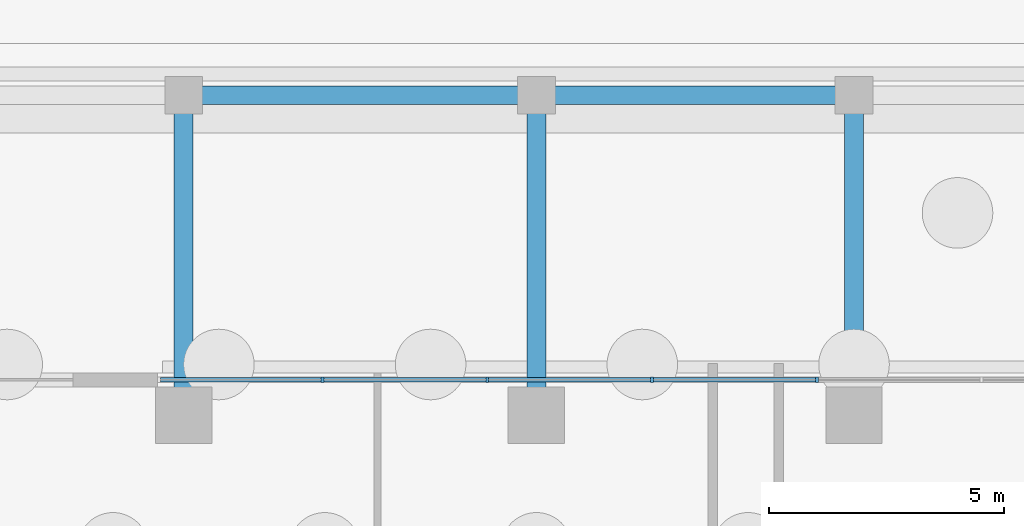
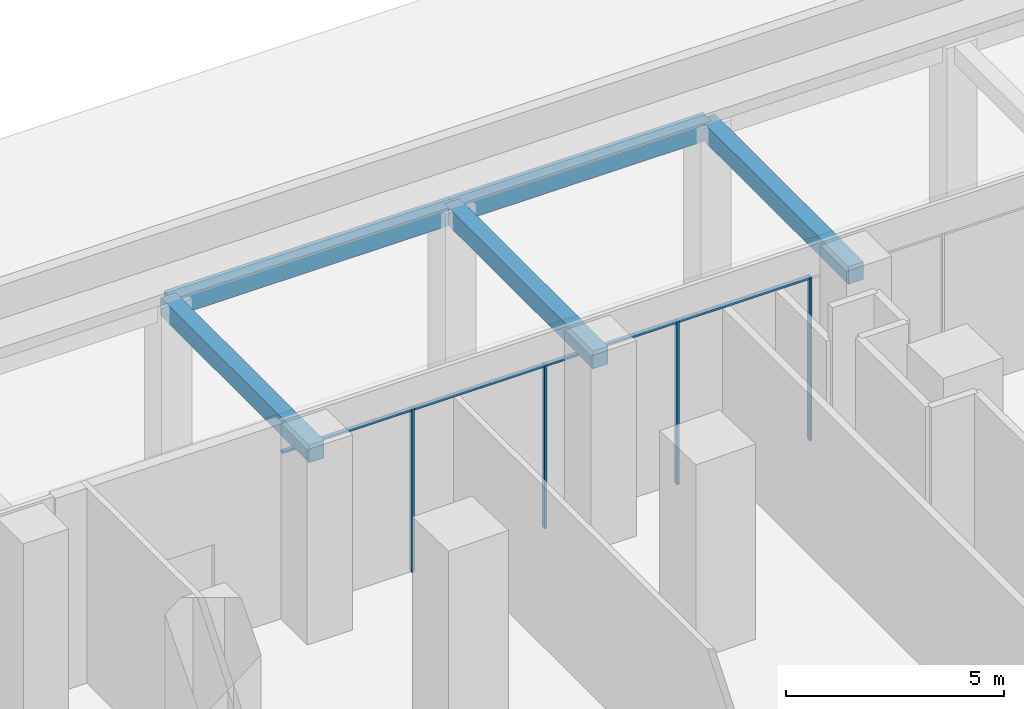
# One storey, part 33 of 46: 8 members, 5 beams, 1 element without a shape of its own.
"""IFC4 building model written with IfcOpenShell, lengths in metres."""

from ifc_helpers import new_model, si_unit, direction, frame, origin, origin_2d, place, context, subcontext, project, spatial, rectangle, extrude, material, material_profile, profile_set, type_object, element, aggregate, save


model = new_model("IFC4")

# Units and contexts
model_context = context("Model", 3, precision=1e-05, world=origin(), true_north=direction((0.0, 1.0)))
body_context = subcontext(model_context, "Body", "Model", "MODEL_VIEW")
ifc_project = project(units=[si_unit("LENGTHUNIT", "METRE"), si_unit("AREAUNIT", "SQUARE_METRE"), si_unit("VOLUMEUNIT", "CUBIC_METRE"), si_unit("PLANEANGLEUNIT", "RADIAN"), si_unit("MASSUNIT", "GRAM", prefix="KILO")], contexts=[model_context])

# Site, building, storey
site_placement = place(None, origin())
site = spatial("IfcSite", under=ifc_project, at=site_placement, CompositionType="ELEMENT")
building_placement = place(site_placement, origin())
building = spatial("IfcBuilding", under=site, at=building_placement, Name="Mangrove Gate Tower", CompositionType="ELEMENT")
storey_placement = place(building_placement, origin())
storey = spatial("IfcBuildingStorey", under=building, at=storey_placement, Name="L00", CompositionType="ELEMENT", Elevation=0.0)

# Beams
ifc_material_1 = material(Name="Concrete C70/85", Category="concrete")
ifc_material_profile_1 = material_profile(ifc_material_1, rectangle(XDim=0.39990234375, YDim=0.5, at=origin_2d()))
ifc_profile_set_1 = profile_set([ifc_material_profile_1], Name="Concrete C70/85")
beam_type = type_object("IfcBeamType", Name="Canopy beam RC 400x500 C70/85", PredefinedType="BEAM", material=ifc_profile_set_1)
beam_1_placement = place(storey_placement, frame((3.75, 36.89990234375, 4.830078125), z_axis=(1.0, 0.0, 0.0), x_axis=(0.0, 1.0, 0.0)))
element("IfcBeam", 1, at=beam_1_placement, inside=storey, type_object=beam_type, Name="Canopy beam L00 CEN07", PredefinedType="BEAM", context=body_context, shape_type="SweptSolid", body=[
    extrude(rectangle(XDim=0.39990234375, YDim=0.5, at=origin_2d()), origin(), (0.0, 0.0, 1.0), 7.5),
])
beam_2_placement = place(storey_placement, frame((11.25, 36.89990234375, 4.830078125), z_axis=(1.0, 0.0, 0.0), x_axis=(0.0, 1.0, 0.0)))
element("IfcBeam", 2, at=beam_2_placement, inside=storey, type_object=beam_type, Name="Canopy beam L00 CEN08", PredefinedType="BEAM", context=body_context, shape_type="SweptSolid", body=[
    extrude(rectangle(XDim=0.39990234375, YDim=0.5, at=origin_2d()), origin(), (0.0, 0.0, 1.0), 6.75),
])
for number, where, z_axis, x_axis, name in (
    (3, (3.75, 30.10009765625, 4.830078125), (0.0, 1.0, 0.0), (-1.0, 0.0, 0.0), "Canopy beam L00 CBN07"),
    (4, (11.25, 30.10009765625, 4.830078125), (0.0, 1.0, 0.0), (-1.0, 0.0, 0.0), "Canopy beam L00 CBN08"),
    (5, (18.0, 30.10009765625, 4.830078125), (0.0, 1.0, 0.0), (-1.0, 0.0, 0.0), "Canopy beam L00 CBN09"),
):
    element("IfcBeam", number, at=place(storey_placement, frame(where, z_axis=z_axis, x_axis=x_axis)), inside=storey, type_object=beam_type, Name=name, PredefinedType="BEAM", context=body_context, shape_type="SweptSolid", body=[
        extrude(rectangle(XDim=0.39990234375, YDim=0.5, at=origin_2d()), origin(), (0.0, 0.0, 1.0), 6.7998046875),
    ])

# Curtain wall, members
ifc_material_2 = material(Name="Aluminium and glass curtain wall", Category="aluminium")
curtain_wall_type = type_object("IfcCurtainWallType", Name="Podium shopfront glazing wall", PredefinedType="NOTDEFINED", material=ifc_material_2)
curtain_wall_placement = place(storey_placement, origin())
curtain_wall = element("IfcCurtainWall", 6, at=curtain_wall_placement, inside=storey, type_object=curtain_wall_type, Name="Podium shopfront glazing N12s1", PredefinedType="NOTDEFINED")
ifc_material_3 = material(Name="Aluminium alloy 6063-T6", Category="aluminium")
ifc_material_profile_2 = material_profile(ifc_material_3, rectangle(XDim=0.06005859375, YDim=0.1201171875, at=origin_2d()))
ifc_profile_set_2 = profile_set([ifc_material_profile_2], Name="Aluminium alloy 6063-T6")
member_type_1 = type_object("IfcMemberType", Name="Podium shopfront glazing mullion 60x120", PredefinedType="MULLION", material=ifc_profile_set_2)
member_1_placement = place(storey_placement, frame((17.2099609375, 30.85009765625, 0.0), z_axis=(0.0, 0.0, 1.0), x_axis=(-1.0, 0.0, 0.0)))
member_1 = element("IfcMember", 7, at=member_1_placement, type_object=member_type_1, Name="CWS mullion 5", PredefinedType="MULLION", context=body_context, shape_type="SweptSolid", body=[
    extrude(rectangle(XDim=0.06005859375, YDim=0.1201171875, at=origin_2d()), origin(), (0.0, 0.0, 1.0), 4.570068359375),
])
member_2_placement = place(storey_placement, frame((13.70751953125, 30.85009765625, 0.0), z_axis=(0.0, 0.0, 1.0), x_axis=(-1.0, 0.0, 0.0)))
member_2 = element("IfcMember", 8, at=member_2_placement, type_object=member_type_1, Name="CWS mullion 6", PredefinedType="MULLION", context=body_context, shape_type="SweptSolid", body=[
    extrude(rectangle(XDim=0.06005859375, YDim=0.1201171875, at=origin_2d()), origin(), (0.0, 0.0, 1.0), 4.570068359375),
])
member_3_placement = place(storey_placement, frame((10.205078125, 30.85009765625, 0.0), z_axis=(0.0, 0.0, 1.0), x_axis=(-1.0, 0.0, 0.0)))
member_3 = element("IfcMember", 9, at=member_3_placement, type_object=member_type_1, Name="CWS mullion 7", PredefinedType="MULLION", context=body_context, shape_type="SweptSolid", body=[
    extrude(rectangle(XDim=0.06005859375, YDim=0.1201171875, at=origin_2d()), origin(), (0.0, 0.0, 1.0), 4.570068359375),
])
member_4_placement = place(storey_placement, frame((6.702392578125, 30.85009765625, 0.0), z_axis=(0.0, 0.0, 1.0), x_axis=(-1.0, 0.0, 0.0)))
member_4 = element("IfcMember", 10, at=member_4_placement, type_object=member_type_1, Name="CWS mullion 8", PredefinedType="MULLION", context=body_context, shape_type="SweptSolid", body=[
    extrude(rectangle(XDim=0.06005859375, YDim=0.1201171875, at=origin_2d()), origin(), (0.0, 0.0, 1.0), 4.570068359375),
])
ifc_material_4 = material(Name="Aluminium alloy 6063-T6", Category="aluminium")
ifc_material_profile_3 = material_profile(ifc_material_4, rectangle(XDim=0.06005859375, YDim=0.10009765625, at=origin_2d()))
ifc_profile_set_3 = profile_set([ifc_material_profile_3], Name="Aluminium alloy 6063-T6")
member_type_2 = type_object("IfcMemberType", Name="Podium shopfront glazing transom 60x100", PredefinedType="USERDEFINED", material=ifc_profile_set_3)
member_5_placement = place(storey_placement, frame((17.179931640625, 30.85009765625, 4.5400390625), z_axis=(-1.0, 0.0, 0.0), x_axis=(0.0, 0.0, 1.0)))
member_5 = element("IfcMember", 11, at=member_5_placement, type_object=member_type_2, Name="CWS transom 5.2", ObjectType="TRANSOM", PredefinedType="USERDEFINED", context=body_context, shape_type="SweptSolid", body=[
    extrude(rectangle(XDim=0.06005859375, YDim=0.10009765625, at=origin_2d()), origin(), (0.0, 0.0, 1.0), 3.4423828125),
])
member_6_placement = place(storey_placement, frame((13.677490234375, 30.85009765625, 4.5400390625), z_axis=(-1.0, 0.0, 0.0), x_axis=(0.0, 0.0, 1.0)))
member_6 = element("IfcMember", 12, at=member_6_placement, type_object=member_type_2, Name="CWS transom 6.2", ObjectType="TRANSOM", PredefinedType="USERDEFINED", context=body_context, shape_type="SweptSolid", body=[
    extrude(rectangle(XDim=0.06005859375, YDim=0.10009765625, at=origin_2d()), origin(), (0.0, 0.0, 1.0), 3.4423828125),
])
member_7_placement = place(storey_placement, frame((10.175048828125, 30.85009765625, 4.5400390625), z_axis=(-1.0, 0.0, 0.0), x_axis=(0.0, 0.0, 1.0)))
member_7 = element("IfcMember", 13, at=member_7_placement, type_object=member_type_2, Name="CWS transom 7.2", ObjectType="TRANSOM", PredefinedType="USERDEFINED", context=body_context, shape_type="SweptSolid", body=[
    extrude(rectangle(XDim=0.06005859375, YDim=0.10009765625, at=origin_2d()), origin(), (0.0, 0.0, 1.0), 3.442626953125),
])
member_8_placement = place(storey_placement, frame((6.672607421875, 30.85009765625, 4.5400390625), z_axis=(-1.0, 0.0, 0.0), x_axis=(0.0, 0.0, 1.0)))
member_8 = element("IfcMember", 14, at=member_8_placement, type_object=member_type_2, Name="CWS transom 8.2", ObjectType="TRANSOM", PredefinedType="USERDEFINED", context=body_context, shape_type="SweptSolid", body=[
    extrude(rectangle(XDim=0.06005859375, YDim=0.10009765625, at=origin_2d()), origin(), (0.0, 0.0, 1.0), 3.41259765625),
])
aggregate(curtain_wall, [member_1, member_2, member_3, member_4, member_5, member_6, member_7, member_8])

save(model, "model.ifc")
